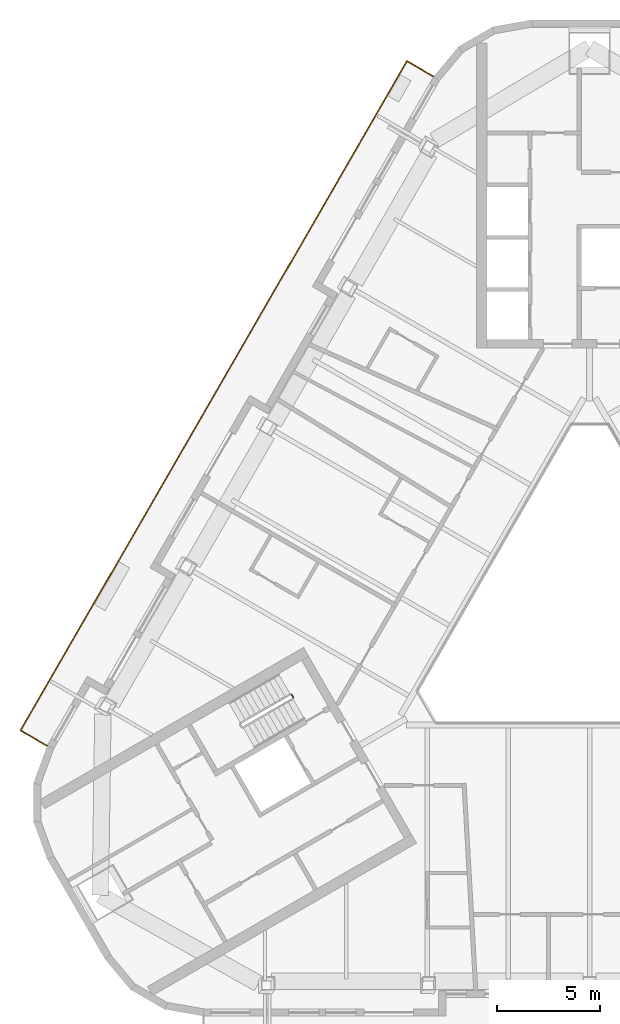
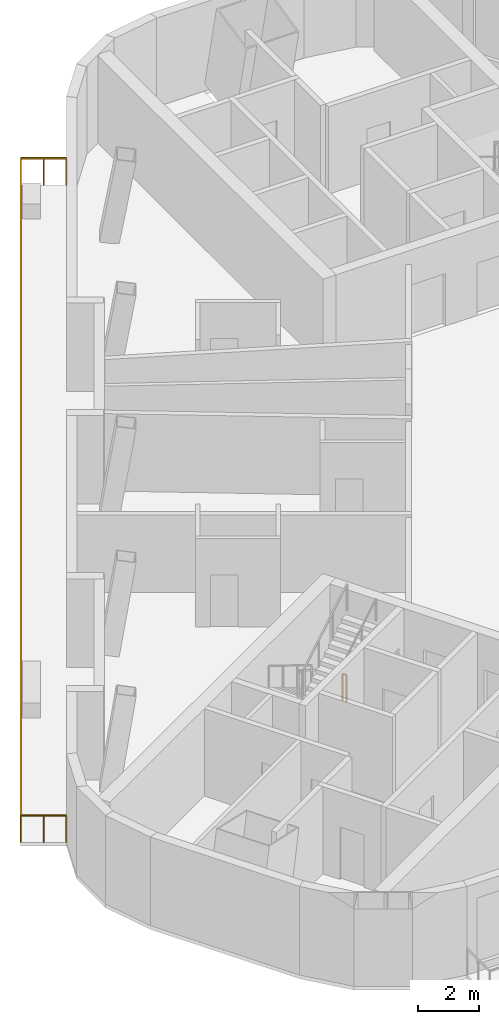
# One storey, part 11 of 14: 2 railings.
"""IFC4 building model written with IfcOpenShell, lengths in metres."""

from ifc_helpers import new_model, si_unit, direction, frame, origin, origin_2d, place, context, subcontext, project, spatial, rectangle, extrude, material, type_object, element, save


model = new_model("IFC4")

# Units and contexts
model_context = context("Model", 3, precision=1e-05, world=origin(), true_north=direction((0.0, 1.0)))
body_context = subcontext(model_context, "Body", "Model", "MODEL_VIEW")
ifc_project = project(units=[si_unit("LENGTHUNIT", "METRE"), si_unit("AREAUNIT", "SQUARE_METRE"), si_unit("VOLUMEUNIT", "CUBIC_METRE"), si_unit("PLANEANGLEUNIT", "RADIAN"), si_unit("MASSUNIT", "GRAM", prefix="KILO")], contexts=[model_context])

# Site, building, storey
site_placement = place(None, origin())
site = spatial("IfcSite", under=ifc_project, at=site_placement, CompositionType="ELEMENT")
building_placement = place(site_placement, origin())
building = spatial("IfcBuilding", under=site, at=building_placement, Name="Apuvela Tower Hotel", CompositionType="ELEMENT")
storey_placement = place(building_placement, frame((0.0, 0.0, 254.10009765625)))
storey = spatial("IfcBuildingStorey", under=building, at=storey_placement, Name="L62", CompositionType="ELEMENT", Elevation=254.10009765625)

# Railings
ifc_material_1 = material(Name="Steel S275 balustrade", Category="steel")
railing_type_1 = type_object("IfcRailingType", Name="COR-GUARD-1100", PredefinedType="GUARDRAIL", material=ifc_material_1)
railing_1_placement = place(storey_placement, frame((-14.500732421875, -3.984130859375, 0.0)))
element("IfcRailing", 1, at=railing_1_placement, inside=storey, type_object=railing_type_1, Name="L62 ST2 stair guard 4", PredefinedType="GUARDRAIL", context=body_context, shape_type="SweptSolid", body=[
    extrude(rectangle(XDim=0.048095703125, YDim=0.048095703125, at=origin_2d()), frame((0.0, 0.0, 1.076171875), z_axis=(0.499816412211, -0.866131372301, 0.0), x_axis=(0.866131372301, 0.499816412211, 0.0)), (0.0, 0.0, 1.0), 0.14990234375),
    extrude(rectangle(XDim=0.0419921875, YDim=0.0419921875, at=origin_2d()), origin(), (0.0, 0.0, 1.0), 1.052001953125),
    extrude(rectangle(XDim=0.0419921875, YDim=0.0419921875, at=origin_2d()), frame((0.074951171875, -0.1298828125, 0.0)), (0.0, 0.0, 1.0), 1.052001953125),
])
ifc_material_2 = material(Name="Stainless steel 316 rail with laminated glass infill", Category="steel")
railing_type_2 = type_object("IfcRailingType", Name="ENV-GUARD-1100", PredefinedType="GUARDRAIL", material=ifc_material_2)
railing_2_placement = place(storey_placement, frame((-7.59228515625, 26.110107421875, 0.0)))
element("IfcRailing", 2, at=railing_2_placement, inside=storey, type_object=railing_type_2, Name="Balcony guard NW L62", PredefinedType="GUARDRAIL", context=body_context, shape_type="SweptSolid", body=[
    extrude(rectangle(XDim=0.050048828125, YDim=0.050048828125, at=origin_2d()), frame((0.0, 0.0, 1.0751953125), z_axis=(-0.86599040064, 0.500060622324, 0.0), x_axis=(-0.500060622324, -0.86599040064, 0.0)), (0.0, 0.0, 1.0), 1.499755859375),
    extrude(rectangle(XDim=0.050048828125, YDim=0.050048828125, at=origin_2d()), frame((-1.298828125, 0.75, 1.0751953125), z_axis=(-0.500000437506, -0.86602515119, 0.0), x_axis=(0.86602515119, -0.500000437506, 0.0)), (0.0, 0.0, 1.0), 37.6318359375),
    extrude(rectangle(XDim=0.050048828125, YDim=0.050048828125, at=origin_2d()), frame((-20.11474609375, -31.840087890625, 1.0751953125), z_axis=(0.866031096941, -0.499990139034, 0.0), x_axis=(0.499990139034, 0.866031096941, 0.0)), (0.0, 0.0, 1.0), 1.5),
    extrude(rectangle(XDim=0.0400390625, YDim=0.0400390625, at=origin_2d()), origin(), (0.0, 0.0, 1.0), 1.050048828125),
    extrude(rectangle(XDim=0.0400390625, YDim=0.0400390625, at=origin_2d()), frame((-0.6494140625, 0.375, 0.0)), (0.0, 0.0, 1.0), 1.050048828125),
    extrude(rectangle(XDim=0.0400390625, YDim=0.0400390625, at=origin_2d()), frame((-1.298828125, 0.75, 0.0)), (0.0, 0.0, 1.0), 1.050048828125),
    extrude(rectangle(XDim=0.0400390625, YDim=0.0400390625, at=origin_2d()), frame((-1.88671875, -0.2685546875, 0.0)), (0.0, 0.0, 1.0), 1.050048828125),
    extrude(rectangle(XDim=0.0400390625, YDim=0.0400390625, at=origin_2d()), frame((-2.474853515625, -1.286865234375, 0.0)), (0.0, 0.0, 1.0), 1.050048828125),
    extrude(rectangle(XDim=0.0400390625, YDim=0.0400390625, at=origin_2d()), frame((-3.062744140625, -2.305419921875, 0.0)), (0.0, 0.0, 1.0), 1.050048828125),
    extrude(rectangle(XDim=0.0400390625, YDim=0.0400390625, at=origin_2d()), frame((-3.65087890625, -3.32373046875, 0.0)), (0.0, 0.0, 1.0), 1.050048828125),
    extrude(rectangle(XDim=0.0400390625, YDim=0.0400390625, at=origin_2d()), frame((-4.23876953125, -4.34228515625, 0.0)), (0.0, 0.0, 1.0), 1.050048828125),
    extrude(rectangle(XDim=0.0400390625, YDim=0.0400390625, at=origin_2d()), frame((-4.826904296875, -5.360595703125, 0.0)), (0.0, 0.0, 1.0), 1.050048828125),
    extrude(rectangle(XDim=0.0400390625, YDim=0.0400390625, at=origin_2d()), frame((-5.414794921875, -6.379150390625, 0.0)), (0.0, 0.0, 1.0), 1.050048828125),
    extrude(rectangle(XDim=0.0400390625, YDim=0.0400390625, at=origin_2d()), frame((-6.0029296875, -7.3974609375, 0.0)), (0.0, 0.0, 1.0), 1.050048828125),
    extrude(rectangle(XDim=0.0400390625, YDim=0.0400390625, at=origin_2d()), frame((-6.5908203125, -8.416015625, 0.0)), (0.0, 0.0, 1.0), 1.050048828125),
    extrude(rectangle(XDim=0.0400390625, YDim=0.0400390625, at=origin_2d()), frame((-7.1787109375, -9.434326171875, 0.0)), (0.0, 0.0, 1.0), 1.050048828125),
    extrude(rectangle(XDim=0.0400390625, YDim=0.0400390625, at=origin_2d()), frame((-7.766845703125, -10.452880859375, 0.0)), (0.0, 0.0, 1.0), 1.050048828125),
    extrude(rectangle(XDim=0.0400390625, YDim=0.0400390625, at=origin_2d()), frame((-8.354736328125, -11.47119140625, 0.0)), (0.0, 0.0, 1.0), 1.050048828125),
    extrude(rectangle(XDim=0.0400390625, YDim=0.0400390625, at=origin_2d()), frame((-8.94287109375, -12.48974609375, 0.0)), (0.0, 0.0, 1.0), 1.050048828125),
    extrude(rectangle(XDim=0.0400390625, YDim=0.0400390625, at=origin_2d()), frame((-9.53076171875, -13.508056640625, 0.0)), (0.0, 0.0, 1.0), 1.050048828125),
    extrude(rectangle(XDim=0.0400390625, YDim=0.0400390625, at=origin_2d()), frame((-10.118896484375, -14.526611328125, 0.0)), (0.0, 0.0, 1.0), 1.050048828125),
    extrude(rectangle(XDim=0.0400390625, YDim=0.0400390625, at=origin_2d()), frame((-10.706787109375, -15.544921875, 0.0)), (0.0, 0.0, 1.0), 1.050048828125),
    extrude(rectangle(XDim=0.0400390625, YDim=0.0400390625, at=origin_2d()), frame((-11.294677734375, -16.5634765625, 0.0)), (0.0, 0.0, 1.0), 1.050048828125),
    extrude(rectangle(XDim=0.0400390625, YDim=0.0400390625, at=origin_2d()), frame((-11.8828125, -17.58203125, 0.0)), (0.0, 0.0, 1.0), 1.050048828125),
    extrude(rectangle(XDim=0.0400390625, YDim=0.0400390625, at=origin_2d()), frame((-12.470703125, -18.600341796875, 0.0)), (0.0, 0.0, 1.0), 1.050048828125),
    extrude(rectangle(XDim=0.0400390625, YDim=0.0400390625, at=origin_2d()), frame((-13.058837890625, -19.618896484375, 0.0)), (0.0, 0.0, 1.0), 1.050048828125),
    extrude(rectangle(XDim=0.0400390625, YDim=0.0400390625, at=origin_2d()), frame((-13.646728515625, -20.63720703125, 0.0)), (0.0, 0.0, 1.0), 1.050048828125),
    extrude(rectangle(XDim=0.0400390625, YDim=0.0400390625, at=origin_2d()), frame((-14.23486328125, -21.65576171875, 0.0)), (0.0, 0.0, 1.0), 1.050048828125),
    extrude(rectangle(XDim=0.0400390625, YDim=0.0400390625, at=origin_2d()), frame((-14.82275390625, -22.674072265625, 0.0)), (0.0, 0.0, 1.0), 1.050048828125),
    extrude(rectangle(XDim=0.0400390625, YDim=0.0400390625, at=origin_2d()), frame((-15.41064453125, -23.692626953125, 0.0)), (0.0, 0.0, 1.0), 1.050048828125),
    extrude(rectangle(XDim=0.0400390625, YDim=0.0400390625, at=origin_2d()), frame((-15.998779296875, -24.7109375, 0.0)), (0.0, 0.0, 1.0), 1.050048828125),
    extrude(rectangle(XDim=0.0400390625, YDim=0.0400390625, at=origin_2d()), frame((-16.586669921875, -25.7294921875, 0.0)), (0.0, 0.0, 1.0), 1.050048828125),
    extrude(rectangle(XDim=0.0400390625, YDim=0.0400390625, at=origin_2d()), frame((-17.1748046875, -26.747802734375, 0.0)), (0.0, 0.0, 1.0), 1.050048828125),
    extrude(rectangle(XDim=0.0400390625, YDim=0.0400390625, at=origin_2d()), frame((-17.7626953125, -27.766357421875, 0.0)), (0.0, 0.0, 1.0), 1.050048828125),
    extrude(rectangle(XDim=0.0400390625, YDim=0.0400390625, at=origin_2d()), frame((-18.350830078125, -28.78466796875, 0.0)), (0.0, 0.0, 1.0), 1.050048828125),
    extrude(rectangle(XDim=0.0400390625, YDim=0.0400390625, at=origin_2d()), frame((-18.938720703125, -29.80322265625, 0.0)), (0.0, 0.0, 1.0), 1.050048828125),
    extrude(rectangle(XDim=0.0400390625, YDim=0.0400390625, at=origin_2d()), frame((-19.52685546875, -30.821533203125, 0.0)), (0.0, 0.0, 1.0), 1.050048828125),
    extrude(rectangle(XDim=0.0400390625, YDim=0.0400390625, at=origin_2d()), frame((-20.11474609375, -31.840087890625, 0.0)), (0.0, 0.0, 1.0), 1.050048828125),
    extrude(rectangle(XDim=0.0400390625, YDim=0.0400390625, at=origin_2d()), frame((-19.46533203125, -32.215087890625, 0.0)), (0.0, 0.0, 1.0), 1.050048828125),
    extrude(rectangle(XDim=0.0400390625, YDim=0.0400390625, at=origin_2d()), frame((-18.815673828125, -32.590087890625, 0.0)), (0.0, 0.0, 1.0), 1.050048828125),
])

save(model, "model.ifc")
